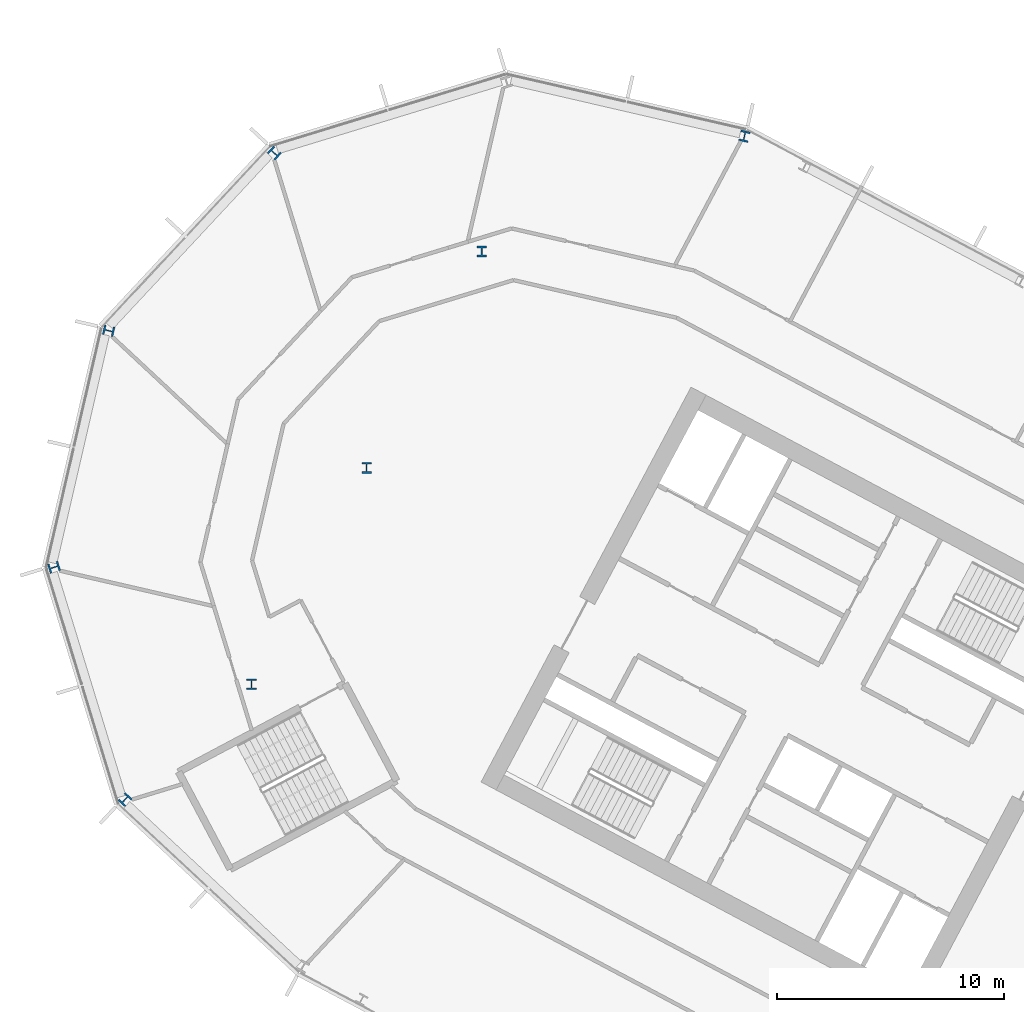
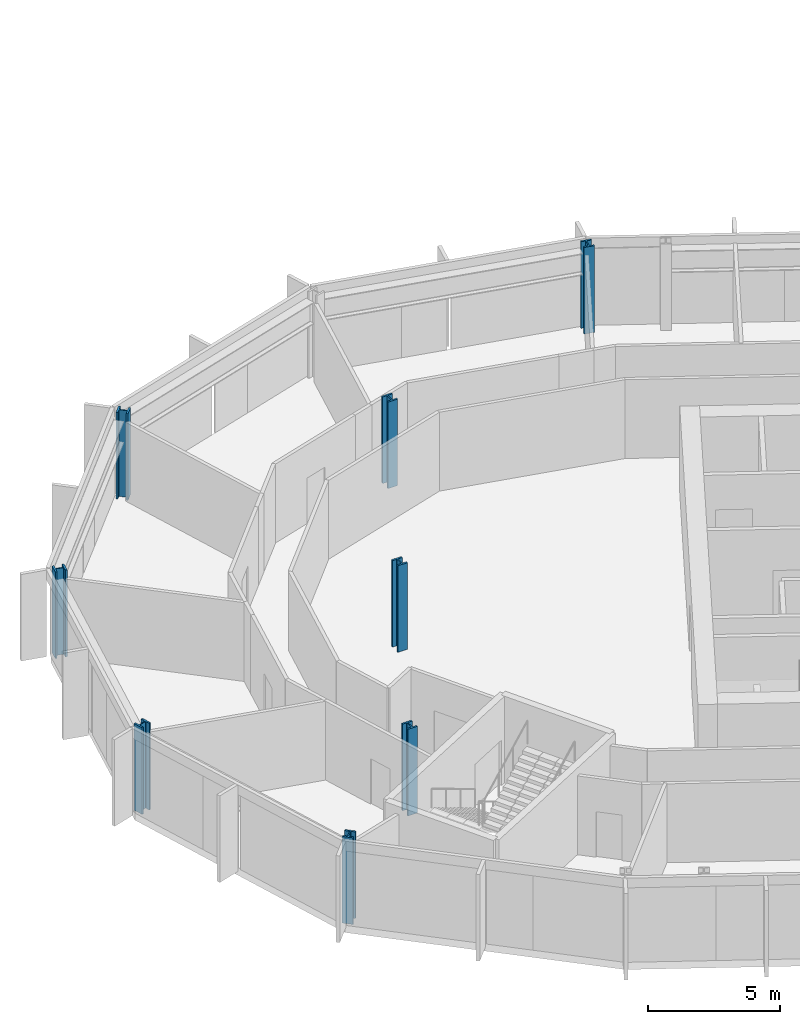
# One storey, part 3 of 28: 8 columns.
"""IFC4 building model written with IfcOpenShell, lengths in metres."""

import ifcopenshell
import ifcopenshell.guid

model = None  # the IFC model being written
_history = None  # IfcOwnerHistory: only IFC2X3 demands one
_inside = {}  # id of a spatial element -> (the spatial element, [elements in it])
_under = {}  # id of a project, library or spatial element -> (it, [spatial elements below it])
_declared = {}  # id of a project -> (the project, [libraries it declares])
_typed = {}  # id of a type object -> (the type object, [elements of that type])
_made_of = {}  # id of a material, layer set ... -> (it, [elements and type objects made of it])


def new_model(schema):
    """Start an empty IFC model of exactly this schema.

    Asked for "IFC4X3", IfcOpenShell would pick the latest addendum, in which some entities
    have other attributes; the version numbers below select the first issue.
    IFC2X3 requires an IfcOwnerHistory on every rooted entity: one is made here for all.
    """
    global model, _history
    if schema == "IFC4X3":
        model = ifcopenshell.file(schema_version=(4, 3, 0, 0))
    else:
        model = ifcopenshell.file(schema=schema)
    _inside.clear()
    _under.clear()
    _declared.clear()
    _typed.clear()
    _made_of.clear()
    _history = None
    if model.schema == "IFC2X3":
        org = make("IfcOrganization", Name="unknown")
        user = make(
            "IfcPersonAndOrganization",
            ThePerson=make("IfcPerson", FamilyName="unknown"),
            TheOrganization=org,
        )
        app = make(
            "IfcApplication",
            ApplicationDeveloper=org,
            Version="unknown",
            ApplicationFullName="unknown",
            ApplicationIdentifier="unknown",
        )
        _history = make(
            "IfcOwnerHistory",
            OwningUser=user,
            OwningApplication=app,
            ChangeAction="ADDED",
            CreationDate=0,
        )
    return model


def make(cls, **values):
    """One entity of the class cls with the attributes given. An attribute that is None is left unset."""
    return model.create_entity(
        cls, **{name: value for name, value in values.items() if value is not None}
    )


def rooted(cls, **values):
    """An entity with a GlobalId (a new one), such as an element, a storey or a relation."""
    return make(cls, GlobalId=ifcopenshell.guid.new(), OwnerHistory=_history, **values)


def si_unit(unit_type, name, prefix=None):
    """IfcSIUnit, for example si_unit("LENGTHUNIT", "METRE", prefix="MILLI")."""
    return make("IfcSIUnit", UnitType=unit_type, Prefix=prefix, Name=name)


def assignment(units):
    """IfcUnitAssignment: the units of a project."""
    return None if units is None else make("IfcUnitAssignment", Units=units)


def point(xyz):
    """IfcCartesianPoint."""
    return None if xyz is None else make("IfcCartesianPoint", Coordinates=xyz)


def direction(xyz):
    """IfcDirection."""
    return None if xyz is None else make("IfcDirection", DirectionRatios=xyz)


def frame(location, z_axis=None, x_axis=None):
    """IfcAxis2Placement3D, a coordinate frame: its origin and axes. An axis left out is left unset."""
    return make(
        "IfcAxis2Placement3D",
        Location=point(location),
        Axis=direction(z_axis),
        RefDirection=direction(x_axis),
    )


def frame_2d(location, x_axis=None):
    """IfcAxis2Placement2D, a coordinate frame in the plane: its origin and x axis."""
    return make(
        "IfcAxis2Placement2D", Location=point(location), RefDirection=direction(x_axis)
    )


def origin():
    """The frame at (0, 0, 0) with its axes left unset."""
    return frame((0.0, 0.0, 0.0))


def origin_2d():
    """The frame at (0, 0) in the plane with its x axis left unset."""
    return frame_2d((0.0, 0.0))


def place(relative_to, where):
    """IfcLocalPlacement: puts the frame where relative to a parent placement (None: the world)."""
    return make(
        "IfcLocalPlacement", PlacementRelTo=relative_to, RelativePlacement=where
    )


def context(
    kind, dimensions, precision=None, world=None, true_north=None, identifier=None
):
    """IfcGeometricRepresentationContext, for example the 3D "Model" context."""
    return make(
        "IfcGeometricRepresentationContext",
        ContextIdentifier=identifier,
        ContextType=kind,
        CoordinateSpaceDimension=dimensions,
        Precision=precision,
        WorldCoordinateSystem=world,
        TrueNorth=true_north,
    )


def subcontext(parent, identifier, kind, view, scale=None):
    """IfcGeometricRepresentationSubContext, for example "Body" below "Model"."""
    return make(
        "IfcGeometricRepresentationSubContext",
        ContextIdentifier=identifier,
        ContextType=kind,
        ParentContext=parent,
        TargetScale=scale,
        TargetView=view,
    )


def project(units=None, contexts=None):
    """IfcProject with its units and contexts."""
    return rooted(
        "IfcProject",
        Name="project",
        RepresentationContexts=contexts,
        UnitsInContext=assignment(units),
    )


def spatial(cls, under=None, at=None, **own):
    """A site, building, storey or space (cls), placed at a placement, below another one or the project."""
    s = rooted(cls, ObjectPlacement=at, **own)
    if under is not None:
        _under.setdefault(under.id(), (under, []))[1].append(s)
    return s


def profile(cls, at=None, kind="AREA", **sizes):
    """A parametric profile (cls). Its sizes go by their IFC names, for example OverallWidth=200.0."""
    return make(cls, ProfileType=kind, Position=at, **sizes)


def i_section(**sizes):
    """IfcIShapeProfileDef."""
    return profile("IfcIShapeProfileDef", **sizes)


def extrude(swept, where, along, depth):
    """IfcExtrudedAreaSolid: the profile swept, set in the frame where, extruded along a direction by depth."""
    return make(
        "IfcExtrudedAreaSolid",
        SweptArea=swept,
        Position=where,
        ExtrudedDirection=direction(along),
        Depth=depth,
    )


def shape(context_of_items, identifier, shape_type, items):
    """IfcShapeRepresentation: the items that make up one representation, for example the "Body"."""
    return make(
        "IfcShapeRepresentation",
        ContextOfItems=context_of_items,
        RepresentationIdentifier=identifier,
        RepresentationType=shape_type,
        Items=items,
    )


def material(Name=None, Category=None):
    """IfcMaterial."""
    return make("IfcMaterial", Name=Name, Category=Category)


def material_profile(
    of_material, cross_section, Name=None, Category=None, Priority=None
):
    """IfcMaterialProfile: a cross section and its material."""
    return make(
        "IfcMaterialProfile",
        Name=Name,
        Material=of_material,
        Profile=cross_section,
        Priority=Priority,
        Category=Category,
    )


def profile_set(profiles, Name=None, composite=None):
    """IfcMaterialProfileSet."""
    return make(
        "IfcMaterialProfileSet",
        Name=Name,
        MaterialProfiles=profiles,
        CompositeProfile=composite,
    )


def made_of(thing, what):
    """Note that an element or type object is made of a material, layer set ...; save() writes the relation."""
    if what is not None:
        _made_of.setdefault(what.id(), (what, []))[1].append(thing)
    return thing


def type_object(cls, material=None, **own):
    """A type object (cls), such as IfcWallType, which elements share."""
    return made_of(rooted(cls, **own), material)


def element(
    cls,
    number,
    at=None,
    inside=None,
    cuts=None,
    type_object=None,
    material=None,
    context=None,
    identifier="Body",
    shape_type=None,
    held_by="IfcProductDefinitionShape",
    body=None,
    shapes=None,
    **own,
):
    """One element of the class cls, such as IfcWall. Its Tag is "e" and its number.

    at: its placement. inside: the storey or other place that contains it. cuts: it is an
    opening in that element (IfcRelVoidsElement). A single representation is given by context,
    identifier, shape_type and body (its items); several are given by shapes. held_by: the class
    of the entity that holds the representations. save() writes the other relations.
    """
    e = rooted(cls, Tag="e%d" % number, ObjectPlacement=at, **own)
    if body is not None:
        shapes = [shape(context, identifier, shape_type, body)]
    if shapes is not None:
        e.Representation = make(held_by, Representations=shapes)
    if inside is not None:
        _inside.setdefault(inside.id(), (inside, []))[1].append(e)
    if cuts is not None:
        rooted(
            "IfcRelVoidsElement", RelatingBuildingElement=cuts, RelatedOpeningElement=e
        )
    if type_object is not None:
        _typed.setdefault(type_object.id(), (type_object, []))[1].append(e)
    return made_of(e, material)


def aggregate(whole, parts):
    """IfcRelAggregates: a whole, such as a stair, and the parts it consists of."""
    return rooted("IfcRelAggregates", RelatingObject=whole, RelatedObjects=parts)


def save(model, path):
    """Write the relations noted so far, then the file.

    IfcRelAggregates (storeys below a building ...), IfcRelContainedInSpatialStructure (elements
    in a storey), IfcRelDefinesByType, IfcRelAssociatesMaterial and IfcRelDeclares: one each for
    every whole, place, type object, material and project.
    """
    for whole, parts in _under.values():
        aggregate(whole, parts)
    for where, things in _inside.values():
        rooted(
            "IfcRelContainedInSpatialStructure",
            RelatedElements=things,
            RelatingStructure=where,
        )
    for kind, things in _typed.values():
        rooted("IfcRelDefinesByType", RelatedObjects=things, RelatingType=kind)
    for what, things in _made_of.values():
        rooted("IfcRelAssociatesMaterial", RelatedObjects=things, RelatingMaterial=what)
    for by, libraries in _declared.values():
        rooted("IfcRelDeclares", RelatingContext=by, RelatedDefinitions=libraries)
    model.write(path)


model = new_model("IFC4")

# Units and contexts
model_context = context("Model", 3, precision=1e-05, world=origin(), true_north=direction((0.0, 1.0)))
body_context = subcontext(model_context, "Body", "Model", "MODEL_VIEW")
ifc_project = project(units=[si_unit("LENGTHUNIT", "METRE"), si_unit("AREAUNIT", "SQUARE_METRE"), si_unit("VOLUMEUNIT", "CUBIC_METRE"), si_unit("PLANEANGLEUNIT", "RADIAN"), si_unit("MASSUNIT", "GRAM", prefix="KILO")], contexts=[model_context])

# Site, building, storey
site_placement = place(None, origin())
site = spatial("IfcSite", under=ifc_project, at=site_placement, CompositionType="ELEMENT")
building_placement = place(site_placement, origin())
building = spatial("IfcBuilding", under=site, at=building_placement, Name="Cormorant Relay Tower", CompositionType="ELEMENT")
storey_placement = place(building_placement, frame((0.0, 0.0, 158.199951171875)))
storey = spatial("IfcBuildingStorey", under=building, at=storey_placement, Name="L33", CompositionType="ELEMENT", Elevation=158.199951171875)

# Columns
ifc_material = material(Name="Steel ASTM A992 (Fy 345 MPa)", Category="steel")
ifc_material_profile = material_profile(ifc_material, i_section(OverallWidth=0.42431640625, OverallDepth=0.47509765625, WebThickness=0.0478515625, FlangeThickness=0.0771484375, FilletRadius=0.014892578125, at=origin_2d()), Name="W360x634")
ifc_profile_set = profile_set([ifc_material_profile], Name="Steel ASTM A992 (Fy 345 MPa)")
column_type = type_object("IfcColumnType", Name="Column W360x634", PredefinedType="COLUMN", material=ifc_profile_set)
for number, where, z_axis, x_axis, name in (
    (1, (-57.261962890625, 10.173095703125, 0.0), (0.0, 0.0, 1.0), (0.731353701619, -0.681998360062, 0.0), "Column L33-022"),
    (2, (-51.68994140625, 15.251953125, 0.0), (0.0, 0.0, 1.0), (1.0, 0.0, 0.0), "Column L33-028"),
    (3, (-60.389892578125, 20.405029296875, 0.0), (0.0, 0.0, 1.0), (0.292371704723, -0.956304755963, 0.0), "Column L33-030"),
    (4, (-46.6201171875, 24.7880859375, 0.0), (0.0, 0.0, 1.0), (1.0, 0.0, 0.0), "Column L33-033"),
    (5, (-57.98291015625, 30.830078125, 0.0), (0.0, 0.0, 1.0), (-0.224951054344, -0.974370064785, 0.0), "Column L33-037"),
    (6, (-41.549072265625, 34.323974609375, 0.0), (0.0, 0.0, 1.0), (1.0, 0.0, 0.0), "Column L33-041"),
    (7, (-50.68603515625, 38.655029296875, 0.0), (0.0, 0.0, 1.0), (-0.681998360062, -0.731353701619, 0.0), "Column L33-045"),
    (8, (-29.97509765625, 39.39599609375, 0.0), (0.0, 0.0, 1.0), (-0.974370064785, 0.224951054344, 0.0), "Column L33-046"),
):
    element("IfcColumn", number, at=place(storey_placement, frame(where, z_axis=z_axis, x_axis=x_axis)), inside=storey, type_object=column_type, Name=name, PredefinedType="COLUMN", context=body_context, shape_type="SweptSolid", body=[
        extrude(i_section(OverallWidth=0.42431640625, OverallDepth=0.47509765625, WebThickness=0.0478515625, FlangeThickness=0.0771484375, FilletRadius=0.014892578125, at=origin_2d()), origin(), (0.0, 0.0, 1.0), 4.0),
    ])

save(model, "model.ifc")
